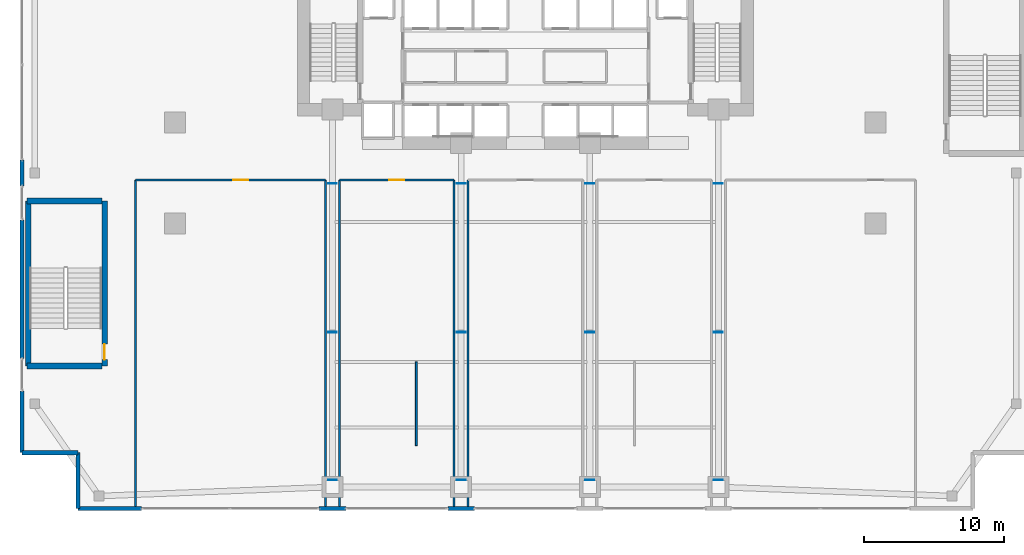
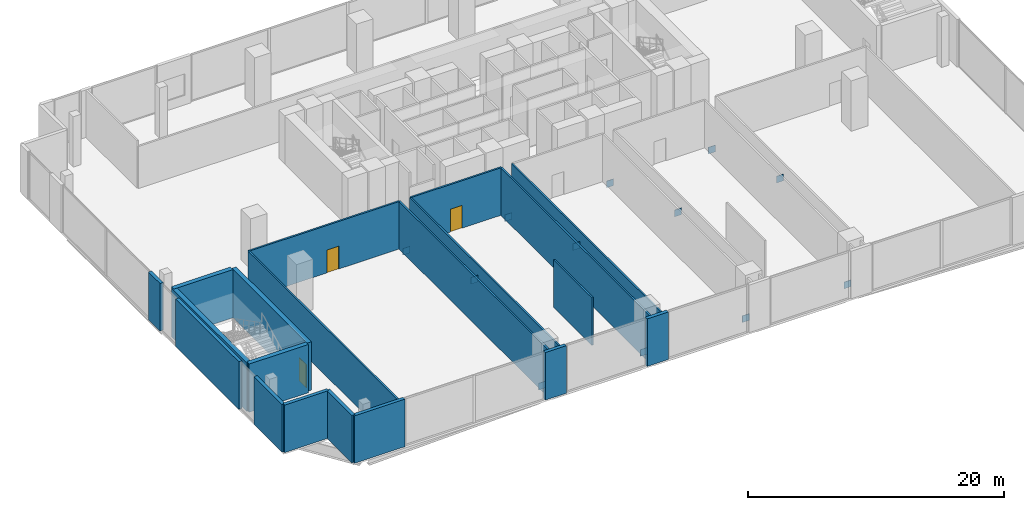
# One storey, part 25 of 33: 20 walls, 12 plates, 3 doors, 3 openings.
"""IFC4 building model written with IfcOpenShell, lengths in metres."""

from ifc_helpers import new_model, si_unit, direction, frame, frame_2d, origin, origin_2d, place, context, subcontext, project, spatial, rectangle, extrude, material, layer, layer_set, type_object, element, fill, save


model = new_model("IFC4")

# Units and contexts
model_context = context("Model", 3, precision=1e-05, world=origin(), true_north=direction((0.0, 1.0)))
body_context = subcontext(model_context, "Body", "Model", "MODEL_VIEW")
ifc_project = project(units=[si_unit("LENGTHUNIT", "METRE"), si_unit("AREAUNIT", "SQUARE_METRE"), si_unit("VOLUMEUNIT", "CUBIC_METRE"), si_unit("PLANEANGLEUNIT", "RADIAN"), si_unit("MASSUNIT", "GRAM", prefix="KILO")], contexts=[model_context])

# Site, building, storey
site_placement = place(None, origin())
site = spatial("IfcSite", under=ifc_project, at=site_placement, CompositionType="ELEMENT")
building_placement = place(site_placement, origin())
building = spatial("IfcBuilding", under=site, at=building_placement, Name="Zuhayl Quay Hotel", CompositionType="ELEMENT")
storey_placement = place(building_placement, frame((0.0, 0.0, 18.0)))
storey = spatial("IfcBuildingStorey", under=building, at=storey_placement, Name="L03", CompositionType="ELEMENT", Elevation=18.0)

# Plates
ifc_material_1 = material(Name="Steel ASTM A572 Grade 50", Category="steel")
ifc_layer_1 = layer(ifc_material_1, 0.0400390625, Name="Steel ASTM A572 Grade 50", Category="steel")
ifc_layer_set_1 = layer_set([ifc_layer_1], Name="Steel ASTM A572 Grade 50")
plate_type = type_object("IfcPlateType", Name="TP_CAP_PLATE_40", PredefinedType="USERDEFINED", material=ifc_layer_set_1)
for number, where, z_axis, x_axis, name in (
    (1, (-13.800048828125, -21.965087890625, -0.57421875), (0.0, 0.0, 1.0), (0.0, -1.0, 0.0), "Truss Node Cap Assembly KN1"),
    (2, (-13.800048828125, -11.385009765625, 3.1162109375), (0.0, 0.0, 1.0), (0.0, 1.0, 0.0), "Truss Node Cap Assembly KN1"),
    (3, (-13.800048828125, -0.73486328125, -0.57421875), (0.0, 0.0, 1.0), (0.0, 1.0, 0.0), "Truss Node Cap Assembly KN1"),
    (4, (-4.60009765625, -21.965087890625, -0.57421875), (0.0, 0.0, 1.0), (0.0, -1.0, 0.0), "Truss Node Cap Assembly KN1"),
    (5, (-4.60009765625, -11.385009765625, 3.1162109375), (0.0, 0.0, 1.0), (0.0, 1.0, 0.0), "Truss Node Cap Assembly KN1"),
    (6, (-4.60009765625, -0.73486328125, -0.57421875), (0.0, 0.0, 1.0), (0.0, 1.0, 0.0), "Truss Node Cap Assembly KN1"),
    (7, (4.60009765625, -21.965087890625, -0.57421875), (0.0, 0.0, 1.0), (0.0, -1.0, 0.0), "Truss Node Cap Assembly KN1"),
    (8, (4.60009765625, -11.385009765625, 3.1162109375), (0.0, 0.0, 1.0), (0.0, 1.0, 0.0), "Truss Node Cap Assembly KN1"),
    (9, (4.60009765625, -0.73486328125, -0.57421875), (0.0, 0.0, 1.0), (0.0, 1.0, 0.0), "Truss Node Cap Assembly KN1"),
    (10, (13.800048828125, -21.965087890625, -0.57421875), (0.0, 0.0, 1.0), (0.0, -1.0, 0.0), "Truss Node Cap Assembly KN1"),
    (11, (13.800048828125, -11.385009765625, 3.1162109375), (0.0, 0.0, 1.0), (0.0, 1.0, 0.0), "Truss Node Cap Assembly KN1"),
    (12, (13.800048828125, -0.73486328125, -0.57421875), (0.0, 0.0, 1.0), (0.0, 1.0, 0.0), "Truss Node Cap Assembly KN1"),
):
    element("IfcPlate", number, at=place(storey_placement, frame(where, z_axis=z_axis, x_axis=x_axis)), inside=storey, type_object=plate_type, Name=name, ObjectType="GUSSET PLATE", PredefinedType="USERDEFINED", context=body_context, shape_type="SweptSolid", body=[
        extrude(rectangle(XDim=0.0400390625, YDim=0.637939453125, at=origin_2d()), origin(), (0.0, 0.0, 1.0), 0.637939453125),
    ])

# Walls
ifc_material_2 = material(Name="Precast concrete C45/55", Category="concrete")
ifc_layer_2 = layer(ifc_material_2, 0.300048828125, Name="Precast concrete C45/55", Category="concrete")
ifc_layer_set_2 = layer_set([ifc_layer_2], Name="Precast concrete C45/55")
wall_type_1 = type_object("IfcWallType", Name="WL_EXT_300", PredefinedType="STANDARD", material=ifc_layer_set_2)
wall_1_placement = place(storey_placement, frame((-32.0, -20.0, 0.0), z_axis=(0.0, 0.0, 1.0), x_axis=(-1.0, 0.0, 0.0)))
element("IfcWall", 13, at=wall_1_placement, inside=storey, type_object=wall_type_1, Name="L03 Exterior Precast Wall ENV_L03_EW01", PredefinedType="STANDARD", context=body_context, shape_type="SweptSolid", body=[
    extrude(rectangle(XDim=4.0, YDim=0.300048828125, at=frame_2d((2.0, 0.0))), origin(), (0.0, 0.0, 1.0), 4.5400390625),
])
wall_2_placement = place(storey_placement, frame((-36.0, -20.0, 0.0), z_axis=(0.0, 0.0, 1.0), x_axis=(0.0, 1.0, 0.0)))
element("IfcWall", 14, at=wall_2_placement, inside=storey, type_object=wall_type_1, Name="L03 Exterior Precast Wall ENV_L03_E02_EW1", PredefinedType="STANDARD", context=body_context, shape_type="SweptSolid", body=[
    extrude(rectangle(XDim=4.419921875, YDim=0.300048828125, at=frame_2d((2.2099609375, 0.0))), origin(), (0.0, 0.0, 1.0), 4.5400390625),
])
wall_3_placement = place(storey_placement, frame((-36.0, -13.25, 0.0), z_axis=(0.0, 0.0, 1.0), x_axis=(0.0, 1.0, 0.0)))
element("IfcWall", 15, at=wall_3_placement, inside=storey, type_object=wall_type_1, Name="L03 Exterior Precast Wall ENV_L03_E02_EW2", PredefinedType="STANDARD", context=body_context, shape_type="SweptSolid", body=[
    extrude(rectangle(XDim=9.89990234375, YDim=0.300048828125, at=frame_2d((4.949951171875, 0.0))), origin(), (0.0, 0.0, 1.0), 4.5400390625),
])
wall_4_placement = place(storey_placement, frame((-36.0, -0.919921875, 0.0), z_axis=(0.0, 0.0, 1.0), x_axis=(0.0, 1.0, 0.0)))
element("IfcWall", 16, at=wall_4_placement, inside=storey, type_object=wall_type_1, Name="L03 Exterior Precast Wall ENV_L03_E02_EW3", PredefinedType="STANDARD", context=body_context, shape_type="SweptSolid", body=[
    extrude(rectangle(XDim=1.83984375, YDim=0.300048828125, at=frame_2d((0.919921875, 0.0))), origin(), (0.0, 0.0, 1.0), 4.5400390625),
])
wall_5_placement = place(storey_placement, frame((-3.64990234375, -24.0, 0.0), z_axis=(0.0, 0.0, 1.0), x_axis=(-1.0, 0.0, 0.0)))
element("IfcWall", 17, at=wall_5_placement, inside=storey, type_object=wall_type_1, Name="L03 Exterior Precast Wall ENV_L03_E11_EW4", PredefinedType="STANDARD", context=body_context, shape_type="SweptSolid", body=[
    extrude(rectangle(XDim=1.900146484375, YDim=0.300048828125, at=frame_2d((0.9501953125, 0.0))), origin(), (0.0, 0.0, 1.0), 4.5400390625),
])
wall_6_placement = place(storey_placement, frame((-12.85009765625, -24.0, 0.0), z_axis=(0.0, 0.0, 1.0), x_axis=(-1.0, 0.0, 0.0)))
element("IfcWall", 18, at=wall_6_placement, inside=storey, type_object=wall_type_1, Name="L03 Exterior Precast Wall ENV_L03_E11_EW5", PredefinedType="STANDARD", context=body_context, shape_type="SweptSolid", body=[
    extrude(rectangle(XDim=1.89990234375, YDim=0.300048828125, at=frame_2d((0.949951171875, 0.0))), origin(), (0.0, 0.0, 1.0), 4.5400390625),
])
wall_7_placement = place(storey_placement, frame((-27.449951171875, -24.0, 0.0), z_axis=(0.0, 0.0, 1.0), x_axis=(-1.0, 0.0, 0.0)))
element("IfcWall", 19, at=wall_7_placement, inside=storey, type_object=wall_type_1, Name="L03 Exterior Precast Wall ENV_L03_E11_EW6", PredefinedType="STANDARD", context=body_context, shape_type="SweptSolid", body=[
    extrude(rectangle(XDim=4.550048828125, YDim=0.300048828125, at=frame_2d((2.27490234375, 0.0))), origin(), (0.0, 0.0, 1.0), 4.5400390625),
])
wall_8_placement = place(storey_placement, frame((-32.0, -24.0, 0.0), z_axis=(0.0, 0.0, 1.0), x_axis=(0.0, 1.0, 0.0)))
element("IfcWall", 20, at=wall_8_placement, inside=storey, type_object=wall_type_1, Name="L03 Exterior Precast Wall ENV_L03_EW12", PredefinedType="STANDARD", context=body_context, shape_type="SweptSolid", body=[
    extrude(rectangle(XDim=4.0, YDim=0.300048828125, at=frame_2d((2.0, 0.0))), origin(), (0.0, 0.0, 1.0), 4.5400390625),
])
ifc_material_3 = material(Name="Acoustic Timber Operable Panel STC-54", Category="wood")
ifc_layer_3 = layer(ifc_material_3, 0.139892578125, Name="Acoustic Timber Operable Panel STC-54", Category="wood")
ifc_layer_set_3 = layer_set([ifc_layer_3], Name="Acoustic Timber Operable Panel STC-54")
wall_type_2 = type_object("IfcWallType", Name="WL_MOVABLE_140", PredefinedType="MOVABLE", material=ifc_layer_set_3)
wall_9_placement = place(storey_placement, frame((-7.800048828125, -19.5, 0.0), z_axis=(0.0, 0.0, 1.0), x_axis=(0.0, 1.0, 0.0)))
element("IfcWall", 21, at=wall_9_placement, inside=storey, type_object=wall_type_2, Name="L03 Operable Acoustic Banquet Partition MW1-1", PredefinedType="MOVABLE", context=body_context, shape_type="SweptSolid", body=[
    extrude(rectangle(XDim=6.0, YDim=0.139892578125, at=frame_2d((3.0, 0.0))), origin(), (0.0, 0.0, 1.0), 4.5400390625),
])
ifc_material_4 = material(Name="Acoustic Gypsum Partition STC-58")
ifc_layer_4 = layer(ifc_material_4, 0.14990234375, Name="Acoustic Gypsum Partition STC-58")
ifc_layer_set_4 = layer_set([ifc_layer_4], Name="Acoustic Gypsum Partition STC-58")
wall_type_3 = type_object("IfcWallType", Name="WL_PART_150", PredefinedType="PARTITIONING", material=ifc_layer_set_4)
for number, where, z_axis, x_axis, name in (
    (22, (-27.89990234375, -23.93994140625, 0.0), (0.0, 0.0, 1.0), (0.0, 1.0, 0.0), "L03 Partition IW_L03_CONF_1_W"),
    (23, (-14.300048828125, -23.93994140625, 0.0), (0.0, 0.0, 1.0), (0.0, 1.0, 0.0), "L03 Partition IW_L03_CONF_1_E"),
    (24, (-13.300048828125, -23.93994140625, 0.0), (0.0, 0.0, 1.0), (0.0, 1.0, 0.0), "L03 Partition IW_L03_CONF_2_W"),
    (25, (-5.10009765625, -23.93994140625, 0.0), (0.0, 0.0, 1.0), (0.0, 1.0, 0.0), "L03 Partition IW_L03_CONF_2_E"),
    (26, (-4.10009765625, -23.93994140625, 0.0), (0.0, 0.0, 1.0), (0.0, 1.0, 0.0), "L03 Partition IW_L03_BOARD_1_W"),
):
    element("IfcWall", number, at=place(storey_placement, frame(where, z_axis=z_axis, x_axis=x_axis)), inside=storey, type_object=wall_type_3, Name=name, PredefinedType="PARTITIONING", context=body_context, shape_type="SweptSolid", body=[
        extrude(rectangle(XDim=23.43994140625, YDim=0.14990234375, at=frame_2d((11.719970703125, 0.0))), origin(), (0.0, 0.0, 1.0), 4.5400390625),
    ])

# Wall, opening, door
ifc_layer_5 = layer(ifc_material_4, 0.159912109375, Name="Acoustic Gypsum Partition STC-58")
ifc_layer_set_5 = layer_set([ifc_layer_5], Name="Acoustic Gypsum Partition STC-58")
wall_type_4 = type_object("IfcWallType", Name="WL_PART_CORR_160", PredefinedType="PARTITIONING", material=ifc_layer_set_5)
wall_10_placement = place(storey_placement, frame((-27.89990234375, -0.5, 0.0), z_axis=(0.0, 0.0, 1.0), x_axis=(1.0, 0.0, 0.0)))
wall_10 = element("IfcWall", 27, at=wall_10_placement, inside=storey, type_object=wall_type_4, Name="L03 Partition IW_L03_CONF_1_N", PredefinedType="PARTITIONING", context=body_context, shape_type="SweptSolid", body=[
    extrude(rectangle(XDim=13.599853515625, YDim=0.159912109375, at=frame_2d((6.7998046875, 0.0))), origin(), (0.0, 0.0, 1.0), 4.5400390625),
])
opening_1_placement = place(wall_10_placement, frame((7.010009765625, 0.0, 0.0)))
opening_1 = element("IfcOpeningElement", 28, at=opening_1_placement, cuts=wall_10, Name="Opening D05A", PredefinedType="OPENING", context=body_context, shape_type="SweptSolid", body=[
    extrude(rectangle(XDim=1.080078125, YDim=2.179931640625, at=frame_2d((0.5400390625, 1.08984375))), frame((0.0, 0.08984375, 0.0), z_axis=(0.0, -1.0, 0.0), x_axis=(1.0, 0.0, 0.0)), (0.0, 0.0, 1.0), 0.179931640625),
])
ifc_material_5 = material(Name="Solid Walnut Acoustic Fire Door")
door_type_1 = type_object("IfcDoorType", Name="DR_INT_1100", OperationType="NOTDEFINED", PredefinedType="DOOR", material=ifc_material_5)
door_1_placement = place(opening_1_placement, origin())
door_1 = element("IfcDoor", 29, at=door_1_placement, inside=storey, type_object=door_type_1, Name="L03 Kuwait Bay Conference Room Door", OperationType="SINGLE_SWING_LEFT", OverallHeight=2.179931640625, OverallWidth=1.080078125, PredefinedType="DOOR", context=body_context, shape_type="SweptSolid", body=[
    extrude(rectangle(XDim=1.080078125, YDim=2.179931640625, at=frame_2d((0.5400390625, 1.08984375))), frame((0.0, 0.02490234375, 0.0), z_axis=(0.0, -1.0, 0.0), x_axis=(1.0, 0.0, 0.0)), (0.0, 0.0, 1.0), 0.050048828125),
])
fill(opening_1, door_1)

wall_11_placement = place(storey_placement, frame((-13.300048828125, -0.5, 0.0), z_axis=(0.0, 0.0, 1.0), x_axis=(1.0, 0.0, 0.0)))
wall_11 = element("IfcWall", 30, at=wall_11_placement, inside=storey, type_object=wall_type_4, Name="L03 Partition IW_L03_CONF_2_N", PredefinedType="PARTITIONING", context=body_context, shape_type="SweptSolid", body=[
    extrude(rectangle(XDim=8.199951171875, YDim=0.159912109375, at=frame_2d((4.10009765625, 0.0))), origin(), (0.0, 0.0, 1.0), 4.5400390625),
])
opening_2_placement = place(wall_11_placement, frame((3.56005859375, 0.0, 0.0)))
opening_2 = element("IfcOpeningElement", 31, at=opening_2_placement, cuts=wall_11, Name="Opening D05A", PredefinedType="OPENING", context=body_context, shape_type="SweptSolid", body=[
    extrude(rectangle(XDim=1.080078125, YDim=2.179931640625, at=frame_2d((0.5400390625, 1.08984375))), frame((0.0, 0.08984375, 0.0), z_axis=(0.0, -1.0, 0.0), x_axis=(1.0, 0.0, 0.0)), (0.0, 0.0, 1.0), 0.179931640625),
])
door_2_placement = place(opening_2_placement, origin())
door_2 = element("IfcDoor", 32, at=door_2_placement, inside=storey, type_object=door_type_1, Name="L03 Failaka Conference Room Door", OperationType="SINGLE_SWING_RIGHT", OverallHeight=2.179931640625, OverallWidth=1.080078125, PredefinedType="DOOR", context=body_context, shape_type="SweptSolid", body=[
    extrude(rectangle(XDim=1.080078125, YDim=2.179931640625, at=frame_2d((0.5400390625, 1.08984375))), frame((0.0, 0.02490234375, 0.0), z_axis=(0.0, -1.0, 0.0), x_axis=(1.0, 0.0, 0.0)), (0.0, 0.0, 1.0), 0.050048828125),
])
fill(opening_2, door_2)

ifc_material_6 = material(Name="Concrete C60/75", Category="concrete")
ifc_layer_6 = layer(ifc_material_6, 0.39990234375, Name="Concrete C60/75", Category="concrete")
ifc_layer_set_6 = layer_set([ifc_layer_6], Name="Concrete C60/75")
wall_type_5 = type_object("IfcWallType", Name="WL_STAIR_400", PredefinedType="SHEAR", material=ifc_layer_set_6)
wall_12_placement = place(storey_placement, frame((-30.10009765625, -13.800048828125, 0.0), z_axis=(0.0, 0.0, 1.0), x_axis=(0.0, 1.0, 0.0)))
wall_12 = element("IfcWall", 33, at=wall_12_placement, inside=storey, type_object=wall_type_5, Name="L03 Podium Stair Shear Wall SW_ST3_E", PredefinedType="SHEAR", context=body_context, shape_type="SweptSolid", body=[
    extrude(rectangle(XDim=11.800048828125, YDim=0.39990234375, at=frame_2d((5.89990234375, 0.0))), origin(), (0.0, 0.0, 1.0), 4.610107421875),
])
opening_3_placement = place(wall_12_placement, frame((0.449951171875, 0.0, 0.0)))
opening_3 = element("IfcOpeningElement", 34, at=opening_3_placement, cuts=wall_12, Name="Opening D01", PredefinedType="OPENING", context=body_context, shape_type="SweptSolid", body=[
    extrude(rectangle(XDim=1.1201171875, YDim=2.219970703125, at=frame_2d((0.56005859375, 1.10986328125))), frame((0.0, 0.2099609375, 0.0), z_axis=(0.0, -1.0, 0.0), x_axis=(1.0, 0.0, 0.0)), (0.0, 0.0, 1.0), 0.419921875),
])
ifc_material_7 = material(Name="Steel ASTM A992 Grade 50", Category="steel")
door_type_2 = type_object("IfcDoorType", Name="DR_STAIR_90_1100", OperationType="NOTDEFINED", PredefinedType="DOOR", material=ifc_material_7)
door_3_placement = place(opening_3_placement, origin())
door_3 = element("IfcDoor", 35, at=door_3_placement, inside=storey, type_object=door_type_2, Name="L03 Podium Exit Stair ST3 Door", OperationType="SINGLE_SWING_RIGHT", OverallHeight=2.219970703125, OverallWidth=1.1201171875, PredefinedType="DOOR", context=body_context, shape_type="SweptSolid", body=[
    extrude(rectangle(XDim=1.1201171875, YDim=2.219970703125, at=frame_2d((0.56005859375, 1.10986328125))), frame((0.0, 0.02490234375, 0.0), z_axis=(0.0, -1.0, 0.0), x_axis=(1.0, 0.0, 0.0)), (0.0, 0.0, 1.0), 0.050048828125),
])
fill(opening_3, door_3)

# Walls
for number, where, z_axis, x_axis, name in (
    (36, (-35.64990234375, -13.800048828125, 0.0), (0.0, 0.0, 1.0), (1.0, 0.0, 0.0), "L03 Podium Stair Shear Wall SW_ST3_S"),
    (37, (-35.64990234375, -2.0, 0.0), (0.0, 0.0, 1.0), (1.0, 0.0, 0.0), "L03 Podium Stair Shear Wall SW_ST3_N"),
):
    element("IfcWall", number, at=place(storey_placement, frame(where, z_axis=z_axis, x_axis=x_axis)), inside=storey, type_object=wall_type_5, Name=name, PredefinedType="SHEAR", context=body_context, shape_type="SweptSolid", body=[
        extrude(rectangle(XDim=5.349853515625, YDim=0.39990234375, at=frame_2d((2.6748046875, 0.0))), origin(), (0.0, 0.0, 1.0), 4.610107421875),
    ])
wall_13_placement = place(storey_placement, frame((-35.550048828125, -13.800048828125, 0.0), z_axis=(0.0, 0.0, 1.0), x_axis=(0.0, 1.0, 0.0)))
element("IfcWall", 38, at=wall_13_placement, inside=storey, type_object=wall_type_5, Name="L03 Podium Stair Shear Wall SW_ST3_W", PredefinedType="SHEAR", context=body_context, shape_type="SweptSolid", body=[
    extrude(rectangle(XDim=11.800048828125, YDim=0.39990234375, at=frame_2d((5.89990234375, 0.0))), origin(), (0.0, 0.0, 1.0), 4.610107421875),
])

save(model, "model.ifc")
